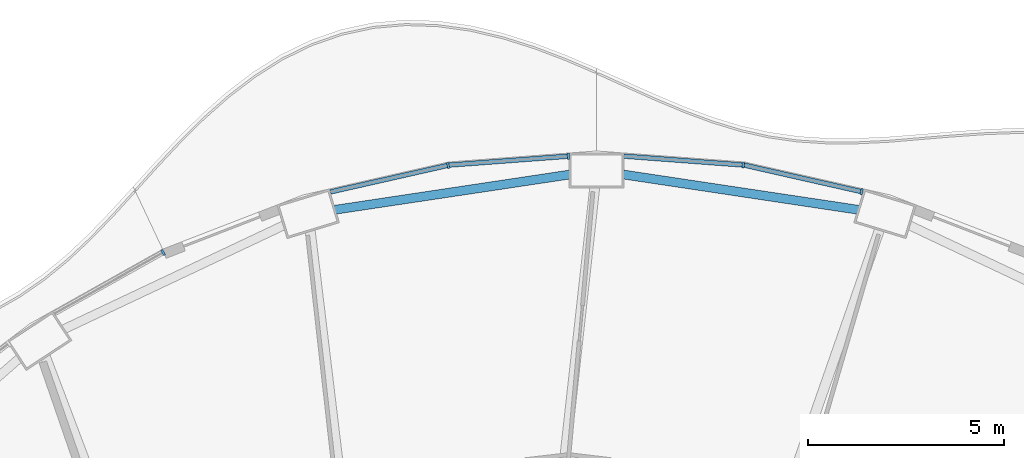
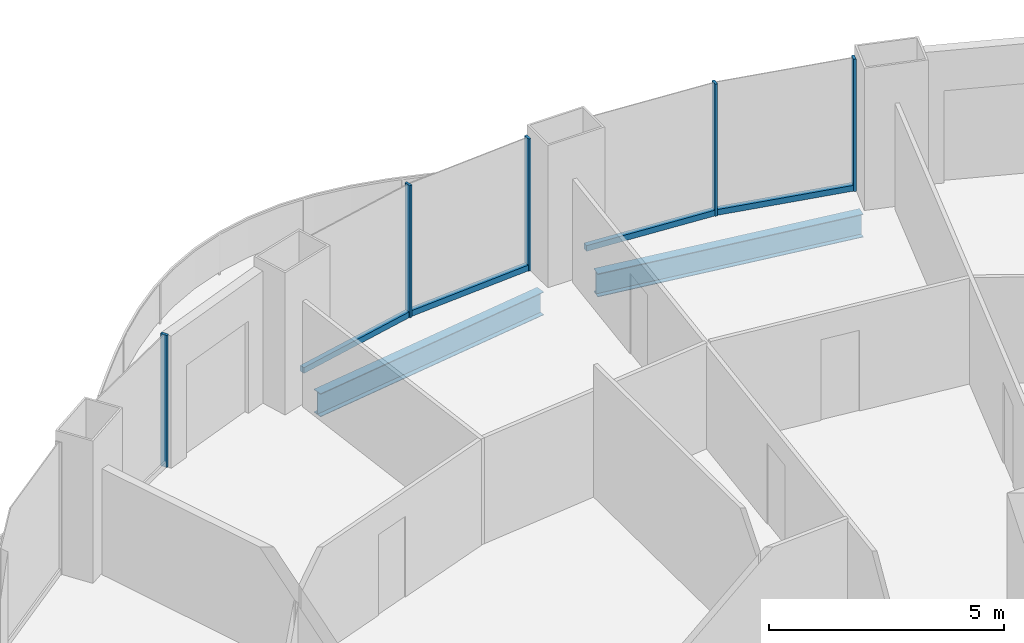
# One storey, part 10 of 21: 9 members, 2 beams, 5 elements without a shape of their own.
"""IFC4 building model written with IfcOpenShell, lengths in metres."""

from ifc_helpers import new_model, si_unit, direction, frame, origin, origin_2d, place, context, subcontext, project, spatial, rectangle, i_section, extrude, material, layer, layer_set, material_profile, profile_set, type_object, element, aggregate, save


model = new_model("IFC4")

# Units and contexts
model_context = context("Model", 3, precision=1e-05, world=origin(), true_north=direction((0.0, 1.0)))
body_context = subcontext(model_context, "Body", "Model", "MODEL_VIEW")
ifc_project = project(units=[si_unit("LENGTHUNIT", "METRE"), si_unit("AREAUNIT", "SQUARE_METRE"), si_unit("VOLUMEUNIT", "CUBIC_METRE"), si_unit("PLANEANGLEUNIT", "RADIAN"), si_unit("MASSUNIT", "GRAM", prefix="KILO")], contexts=[model_context])

# Site, building, storey
site_placement = place(None, origin())
site = spatial("IfcSite", under=ifc_project, at=site_placement, CompositionType="ELEMENT")
building_placement = place(site_placement, origin())
building = spatial("IfcBuilding", under=site, at=building_placement, Name="Nagisa Residences", CompositionType="ELEMENT")
storey_placement = place(building_placement, frame((0.0, 0.0, 60.300048828125)))
storey = spatial("IfcBuildingStorey", under=building, at=storey_placement, Name="L14", CompositionType="ELEMENT", Elevation=60.300048828125)

# Curtain wall, member
ifc_material_1 = material(Name="Concrete-coloured aluminium curtain wall system", Category="concrete")
ifc_layer = layer(ifc_material_1, 0.159912109375)
ifc_layer_set = layer_set([ifc_layer], Name="CW1 CURTAIN WALL")
curtain_wall_type = type_object("IfcCurtainWallType", Name="CW1 CURTAIN WALL", PredefinedType="NOTDEFINED", material=ifc_layer_set)
curtain_wall_1_placement = place(storey_placement, origin())
curtain_wall_1 = element("IfcCurtainWall", 1, at=curtain_wall_1_placement, inside=storey, type_object=curtain_wall_type, Name="cw:CW1:L14:10", PredefinedType="NOTDEFINED")
ifc_material_2 = material(Name="Concrete-coloured aluminium", Category="concrete")
ifc_material_profile_1 = material_profile(ifc_material_2, rectangle(XDim=0.159912109375, YDim=0.06005859375, at=origin_2d()), Name="CW1 MULLION 160x60")
ifc_profile_set_1 = profile_set([ifc_material_profile_1], Name="Concrete-coloured aluminium")
member_type_1 = type_object("IfcMemberType", Name="CW1 MULLION 160x60", PredefinedType="MULLION", material=ifc_profile_set_1)
member_1_placement = place(storey_placement, frame((10.376220703125, 31.958740234375, 0.0), z_axis=(0.0, 0.0, 1.0), x_axis=(-0.2207639201, -0.975327274089, 0.0)))
member_1 = element("IfcMember", 2, at=member_1_placement, type_object=member_type_1, Name="CW1 mullion", PredefinedType="MULLION", context=body_context, shape_type="SweptSolid", body=[
    extrude(rectangle(XDim=0.159912109375, YDim=0.06005859375, at=origin_2d()), origin(), (0.0, 0.0, 1.0), 3.43994140625),
])

curtain_wall_2_placement = place(storey_placement, origin())
curtain_wall_2 = element("IfcCurtainWall", 3, at=curtain_wall_2_placement, inside=storey, type_object=curtain_wall_type, Name="cw:CW1:L14:11", PredefinedType="NOTDEFINED")
member_2_placement = place(storey_placement, frame((7.349365234375, 32.64013671875, 0.0), z_axis=(0.0, 0.0, 1.0), x_axis=(-0.074377355493, -0.997230168512, 0.0)))
member_2 = element("IfcMember", 4, at=member_2_placement, type_object=member_type_1, Name="CW1 mullion", PredefinedType="MULLION", context=body_context, shape_type="SweptSolid", body=[
    extrude(rectangle(XDim=0.159912109375, YDim=0.06005859375, at=origin_2d()), origin(), (0.0, 0.0, 1.0), 3.43994140625),
])

curtain_wall_3_placement = place(storey_placement, origin())
curtain_wall_3 = element("IfcCurtainWall", 5, at=curtain_wall_3_placement, inside=storey, type_object=curtain_wall_type, Name="cw:CW1:L14:12", PredefinedType="NOTDEFINED")
member_3_placement = place(storey_placement, frame((2.8779296875, 32.865966796875, 0.0), z_axis=(0.0, 0.0, 1.0), x_axis=(0.074377355493, -0.997230168512, 0.0)))
member_3 = element("IfcMember", 6, at=member_3_placement, type_object=member_type_1, Name="CW1 mullion", PredefinedType="MULLION", context=body_context, shape_type="SweptSolid", body=[
    extrude(rectangle(XDim=0.159912109375, YDim=0.06005859375, at=origin_2d()), origin(), (0.0, 0.0, 1.0), 3.43994140625),
])

curtain_wall_4_placement = place(storey_placement, origin())
curtain_wall_4 = element("IfcCurtainWall", 7, at=curtain_wall_4_placement, inside=storey, type_object=curtain_wall_type, Name="cw:CW1:L14:13", PredefinedType="NOTDEFINED")
member_4_placement = place(storey_placement, frame((-0.19677734375, 32.633056640625, 0.0), z_axis=(0.0, 0.0, 1.0), x_axis=(0.2207639201, -0.975327274089, 0.0)))
member_4 = element("IfcMember", 8, at=member_4_placement, type_object=member_type_1, Name="CW1 mullion", PredefinedType="MULLION", context=body_context, shape_type="SweptSolid", body=[
    extrude(rectangle(XDim=0.159912109375, YDim=0.06005859375, at=origin_2d()), origin(), (0.0, 0.0, 1.0), 3.43994140625),
])

curtain_wall_5_placement = place(storey_placement, origin())
curtain_wall_5 = element("IfcCurtainWall", 9, at=curtain_wall_5_placement, inside=storey, type_object=curtain_wall_type, Name="cw:CW1:L14:15", PredefinedType="NOTDEFINED")
member_5_placement = place(storey_placement, frame((-7.48486328125, 30.403564453125, 0.0), z_axis=(0.0, 0.0, 1.0), x_axis=(0.489376918501, -0.872072377523, 0.0)))
member_5 = element("IfcMember", 10, at=member_5_placement, type_object=member_type_1, Name="CW1 mullion", PredefinedType="MULLION", context=body_context, shape_type="SweptSolid", body=[
    extrude(rectangle(XDim=0.159912109375, YDim=0.06005859375, at=origin_2d()), origin(), (0.0, 0.0, 1.0), 3.43994140625),
])
aggregate(curtain_wall_5, [member_5])

# Member
ifc_material_3 = material(Name="Concrete-coloured aluminium", Category="concrete")
ifc_material_profile_2 = material_profile(ifc_material_3, rectangle(XDim=0.1201171875, YDim=0.14990234375, at=origin_2d()), Name="CW1 TRANSOM 120x150")
ifc_profile_set_2 = profile_set([ifc_material_profile_2], Name="Concrete-coloured aluminium")
member_type_2 = type_object("IfcMemberType", Name="CW1 TRANSOM 120x150", PredefinedType="USERDEFINED", material=ifc_profile_set_2)
member_6_placement = place(storey_placement, frame((10.4052734375, 31.9521484375, 0.074951171875), z_axis=(-0.975331134677, 0.220746863466, 0.0), x_axis=(-0.220746863466, -0.975331134677, 0.0)))
member_6 = element("IfcMember", 11, at=member_6_placement, type_object=member_type_2, Name="CW1 transom", ObjectType="TRANSOM", PredefinedType="USERDEFINED", context=body_context, shape_type="SweptSolid", body=[
    extrude(rectangle(XDim=0.1201171875, YDim=0.14990234375, at=origin_2d()), origin(), (0.0, 0.0, 1.0), 3.114501953125),
])

aggregate(curtain_wall_1, [member_1, member_6])

member_7_placement = place(storey_placement, frame((7.37939453125, 32.637939453125, 0.074951171875), z_axis=(-0.997231270995, 0.07436257224, 0.0), x_axis=(-0.07436257224, -0.997231270995, 0.0)))
member_7 = element("IfcMember", 12, at=member_7_placement, type_object=member_type_2, Name="CW1 transom", ObjectType="TRANSOM", PredefinedType="USERDEFINED", context=body_context, shape_type="SweptSolid", body=[
    extrude(rectangle(XDim=0.1201171875, YDim=0.14990234375, at=origin_2d()), origin(), (0.0, 0.0, 1.0), 3.095947265625),
])

aggregate(curtain_wall_2, [member_2, member_7])

member_8_placement = place(storey_placement, frame((2.907958984375, 32.8681640625, 0.074951171875), z_axis=(-0.997230834878, -0.074368420505, 0.0), x_axis=(0.074368420505, -0.997230834878, 0.0)))
member_8 = element("IfcMember", 13, at=member_8_placement, type_object=member_type_2, Name="CW1 transom", ObjectType="TRANSOM", PredefinedType="USERDEFINED", context=body_context, shape_type="SweptSolid", body=[
    extrude(rectangle(XDim=0.1201171875, YDim=0.14990234375, at=origin_2d()), origin(), (0.0, 0.0, 1.0), 3.095703125),
])

aggregate(curtain_wall_3, [member_3, member_8])

member_9_placement = place(storey_placement, frame((-0.16748046875, 32.6396484375, 0.074951171875), z_axis=(-0.97533495413, -0.220729987208, 0.0), x_axis=(0.220729987208, -0.97533495413, 0.0)))
member_9 = element("IfcMember", 14, at=member_9_placement, type_object=member_type_2, Name="CW1 transom", ObjectType="TRANSOM", PredefinedType="USERDEFINED", context=body_context, shape_type="SweptSolid", body=[
    extrude(rectangle(XDim=0.1201171875, YDim=0.14990234375, at=origin_2d()), origin(), (0.0, 0.0, 1.0), 3.11474609375),
])

aggregate(curtain_wall_4, [member_4, member_9])

# Beams
ifc_material_4 = material(Name="Steel ASTM A572 Gr 50", Category="steel")
ifc_material_profile_3 = material_profile(ifc_material_4, i_section(OverallWidth=0.22802734375, OverallDepth=0.60302734375, WebThickness=0.010498046875, FlangeThickness=0.014892578125, at=origin_2d()), Name="W610x101")
ifc_profile_set_3 = profile_set([ifc_material_profile_3], Name="Steel ASTM A572 Gr 50")
beam_type = type_object("IfcBeamType", Name="Perimeter ring beam W610x101", PredefinedType="BEAM", material=ifc_profile_set_3)
for number, where, z_axis, x_axis, name in (
    (15, (10.29638671875, 31.49462890625, -0.5615234375), (-0.988914559467, 0.14848566959, 0.0), (-0.14848566959, -0.988914559467, 0.0), "beam:L14:pb06"),
    (16, (2.919677734375, 32.39794921875, -0.5615234375), (-0.988914559467, -0.14848566959, 0.0), (0.14848566959, -0.988914559467, 0.0), "beam:L14:pb07"),
):
    element("IfcBeam", number, at=place(storey_placement, frame(where, z_axis=z_axis, x_axis=x_axis)), inside=storey, type_object=beam_type, Name=name, PredefinedType="BEAM", context=body_context, shape_type="SweptSolid", body=[
        extrude(i_section(OverallWidth=0.22802734375, OverallDepth=0.60302734375, WebThickness=0.010498046875, FlangeThickness=0.014892578125, at=origin_2d()), origin(), (0.0, 0.0, 1.0), 6.08349609375),
    ])

save(model, "model.ifc")
